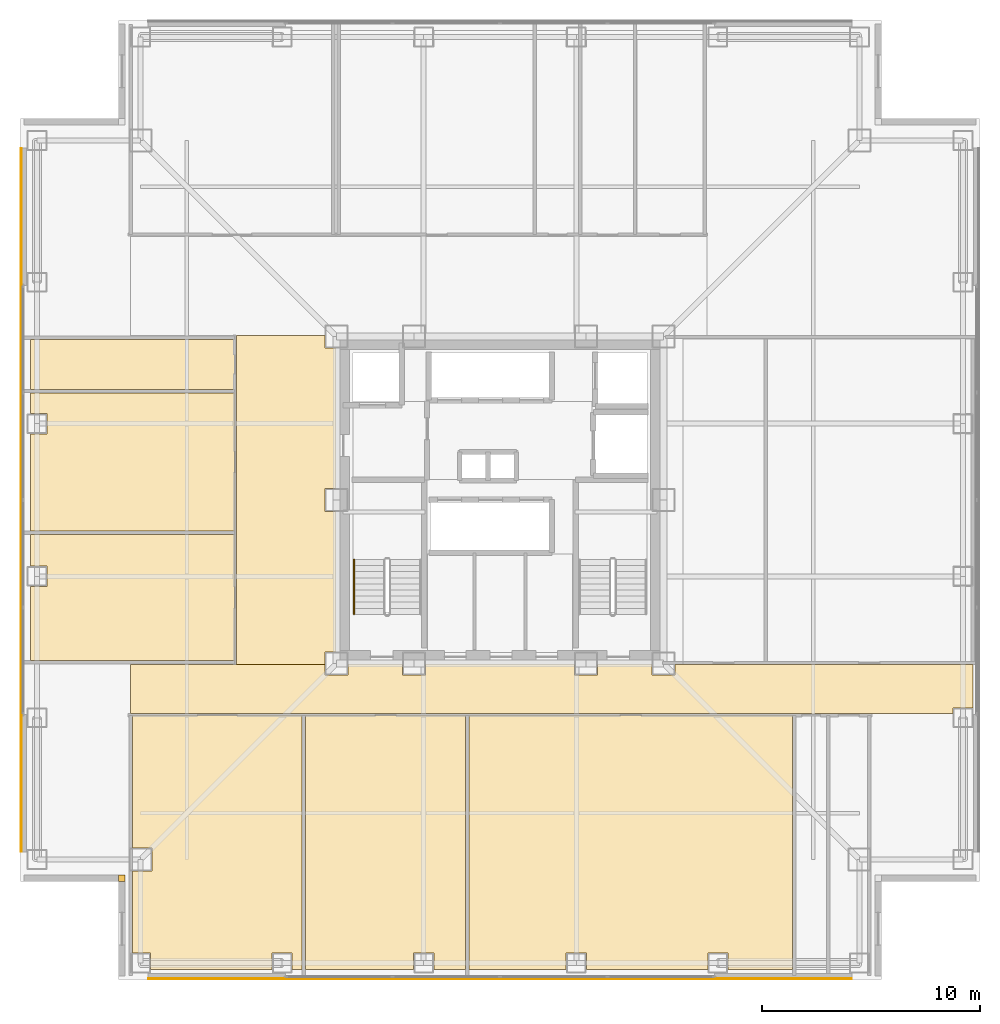
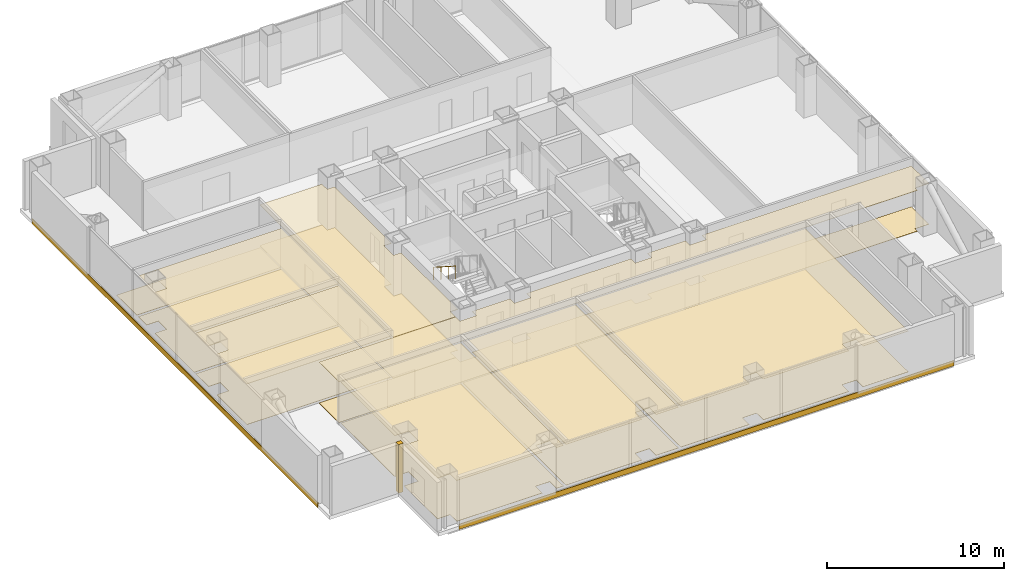
# One storey, part 14 of 16: 18 coverings, 1 railing.
"""IFC4 building model written with IfcOpenShell, lengths in metres."""

import ifcopenshell
import ifcopenshell.guid

model = None  # the IFC model being written
_history = None  # IfcOwnerHistory: only IFC2X3 demands one
_inside = {}  # id of a spatial element -> (the spatial element, [elements in it])
_under = {}  # id of a project, library or spatial element -> (it, [spatial elements below it])
_declared = {}  # id of a project -> (the project, [libraries it declares])
_typed = {}  # id of a type object -> (the type object, [elements of that type])
_made_of = {}  # id of a material, layer set ... -> (it, [elements and type objects made of it])


def new_model(schema):
    """Start an empty IFC model of exactly this schema.

    Asked for "IFC4X3", IfcOpenShell would pick the latest addendum, in which some entities
    have other attributes; the version numbers below select the first issue.
    IFC2X3 requires an IfcOwnerHistory on every rooted entity: one is made here for all.
    """
    global model, _history
    if schema == "IFC4X3":
        model = ifcopenshell.file(schema_version=(4, 3, 0, 0))
    else:
        model = ifcopenshell.file(schema=schema)
    _inside.clear()
    _under.clear()
    _declared.clear()
    _typed.clear()
    _made_of.clear()
    _history = None
    if model.schema == "IFC2X3":
        org = make("IfcOrganization", Name="unknown")
        user = make(
            "IfcPersonAndOrganization",
            ThePerson=make("IfcPerson", FamilyName="unknown"),
            TheOrganization=org,
        )
        app = make(
            "IfcApplication",
            ApplicationDeveloper=org,
            Version="unknown",
            ApplicationFullName="unknown",
            ApplicationIdentifier="unknown",
        )
        _history = make(
            "IfcOwnerHistory",
            OwningUser=user,
            OwningApplication=app,
            ChangeAction="ADDED",
            CreationDate=0,
        )
    return model


def make(cls, **values):
    """One entity of the class cls with the attributes given. An attribute that is None is left unset."""
    return model.create_entity(
        cls, **{name: value for name, value in values.items() if value is not None}
    )


def rooted(cls, **values):
    """An entity with a GlobalId (a new one), such as an element, a storey or a relation."""
    return make(cls, GlobalId=ifcopenshell.guid.new(), OwnerHistory=_history, **values)


def si_unit(unit_type, name, prefix=None):
    """IfcSIUnit, for example si_unit("LENGTHUNIT", "METRE", prefix="MILLI")."""
    return make("IfcSIUnit", UnitType=unit_type, Prefix=prefix, Name=name)


def assignment(units):
    """IfcUnitAssignment: the units of a project."""
    return None if units is None else make("IfcUnitAssignment", Units=units)


def point(xyz):
    """IfcCartesianPoint."""
    return None if xyz is None else make("IfcCartesianPoint", Coordinates=xyz)


def direction(xyz):
    """IfcDirection."""
    return None if xyz is None else make("IfcDirection", DirectionRatios=xyz)


def frame(location, z_axis=None, x_axis=None):
    """IfcAxis2Placement3D, a coordinate frame: its origin and axes. An axis left out is left unset."""
    return make(
        "IfcAxis2Placement3D",
        Location=point(location),
        Axis=direction(z_axis),
        RefDirection=direction(x_axis),
    )


def frame_2d(location, x_axis=None):
    """IfcAxis2Placement2D, a coordinate frame in the plane: its origin and x axis."""
    return make(
        "IfcAxis2Placement2D", Location=point(location), RefDirection=direction(x_axis)
    )


def origin():
    """The frame at (0, 0, 0) with its axes left unset."""
    return frame((0.0, 0.0, 0.0))


def origin_2d():
    """The frame at (0, 0) in the plane with its x axis left unset."""
    return frame_2d((0.0, 0.0))


def place(relative_to, where):
    """IfcLocalPlacement: puts the frame where relative to a parent placement (None: the world)."""
    return make(
        "IfcLocalPlacement", PlacementRelTo=relative_to, RelativePlacement=where
    )


def context(
    kind, dimensions, precision=None, world=None, true_north=None, identifier=None
):
    """IfcGeometricRepresentationContext, for example the 3D "Model" context."""
    return make(
        "IfcGeometricRepresentationContext",
        ContextIdentifier=identifier,
        ContextType=kind,
        CoordinateSpaceDimension=dimensions,
        Precision=precision,
        WorldCoordinateSystem=world,
        TrueNorth=true_north,
    )


def subcontext(parent, identifier, kind, view, scale=None):
    """IfcGeometricRepresentationSubContext, for example "Body" below "Model"."""
    return make(
        "IfcGeometricRepresentationSubContext",
        ContextIdentifier=identifier,
        ContextType=kind,
        ParentContext=parent,
        TargetScale=scale,
        TargetView=view,
    )


def project(units=None, contexts=None):
    """IfcProject with its units and contexts."""
    return rooted(
        "IfcProject",
        Name="project",
        RepresentationContexts=contexts,
        UnitsInContext=assignment(units),
    )


def spatial(cls, under=None, at=None, **own):
    """A site, building, storey or space (cls), placed at a placement, below another one or the project."""
    s = rooted(cls, ObjectPlacement=at, **own)
    if under is not None:
        _under.setdefault(under.id(), (under, []))[1].append(s)
    return s


def polyline(points):
    """IfcPolyline through the points."""
    return make("IfcPolyline", Points=[point(p) for p in points])


def profile(cls, at=None, kind="AREA", **sizes):
    """A parametric profile (cls). Its sizes go by their IFC names, for example OverallWidth=200.0."""
    return make(cls, ProfileType=kind, Position=at, **sizes)


def rectangle(**sizes):
    """IfcRectangleProfileDef."""
    return profile("IfcRectangleProfileDef", **sizes)


def circle(**sizes):
    """IfcCircleProfileDef."""
    return profile("IfcCircleProfileDef", **sizes)


def outline(outer, holes=None, kind="AREA"):
    """IfcArbitraryClosedProfileDef: a profile drawn as a closed curve; with holes, ...WithVoids."""
    if holes is None:
        return make("IfcArbitraryClosedProfileDef", ProfileType=kind, OuterCurve=outer)
    return make(
        "IfcArbitraryProfileDefWithVoids",
        ProfileType=kind,
        OuterCurve=outer,
        InnerCurves=holes,
    )


def extrude(swept, where, along, depth):
    """IfcExtrudedAreaSolid: the profile swept, set in the frame where, extruded along a direction by depth."""
    return make(
        "IfcExtrudedAreaSolid",
        SweptArea=swept,
        Position=where,
        ExtrudedDirection=direction(along),
        Depth=depth,
    )


def shape(context_of_items, identifier, shape_type, items):
    """IfcShapeRepresentation: the items that make up one representation, for example the "Body"."""
    return make(
        "IfcShapeRepresentation",
        ContextOfItems=context_of_items,
        RepresentationIdentifier=identifier,
        RepresentationType=shape_type,
        Items=items,
    )


def material(Name=None, Category=None):
    """IfcMaterial."""
    return make("IfcMaterial", Name=Name, Category=Category)


def layer(
    of_material, thickness, ventilated=None, Name=None, Category=None, Priority=None
):
    """IfcMaterialLayer: one layer of a wall or slab, of a material (None: an air gap)."""
    return make(
        "IfcMaterialLayer",
        Material=of_material,
        LayerThickness=thickness,
        IsVentilated=ventilated,
        Name=Name,
        Category=Category,
        Priority=Priority,
    )


def layer_set(layers, Name=None):
    """IfcMaterialLayerSet."""
    return make("IfcMaterialLayerSet", MaterialLayers=layers, LayerSetName=Name)


def made_of(thing, what):
    """Note that an element or type object is made of a material, layer set ...; save() writes the relation."""
    if what is not None:
        _made_of.setdefault(what.id(), (what, []))[1].append(thing)
    return thing


def type_object(cls, material=None, **own):
    """A type object (cls), such as IfcWallType, which elements share."""
    return made_of(rooted(cls, **own), material)


def element(
    cls,
    number,
    at=None,
    inside=None,
    cuts=None,
    type_object=None,
    material=None,
    context=None,
    identifier="Body",
    shape_type=None,
    held_by="IfcProductDefinitionShape",
    body=None,
    shapes=None,
    **own,
):
    """One element of the class cls, such as IfcWall. Its Tag is "e" and its number.

    at: its placement. inside: the storey or other place that contains it. cuts: it is an
    opening in that element (IfcRelVoidsElement). A single representation is given by context,
    identifier, shape_type and body (its items); several are given by shapes. held_by: the class
    of the entity that holds the representations. save() writes the other relations.
    """
    e = rooted(cls, Tag="e%d" % number, ObjectPlacement=at, **own)
    if body is not None:
        shapes = [shape(context, identifier, shape_type, body)]
    if shapes is not None:
        e.Representation = make(held_by, Representations=shapes)
    if inside is not None:
        _inside.setdefault(inside.id(), (inside, []))[1].append(e)
    if cuts is not None:
        rooted(
            "IfcRelVoidsElement", RelatingBuildingElement=cuts, RelatedOpeningElement=e
        )
    if type_object is not None:
        _typed.setdefault(type_object.id(), (type_object, []))[1].append(e)
    return made_of(e, material)


def aggregate(whole, parts):
    """IfcRelAggregates: a whole, such as a stair, and the parts it consists of."""
    return rooted("IfcRelAggregates", RelatingObject=whole, RelatedObjects=parts)


def save(model, path):
    """Write the relations noted so far, then the file.

    IfcRelAggregates (storeys below a building ...), IfcRelContainedInSpatialStructure (elements
    in a storey), IfcRelDefinesByType, IfcRelAssociatesMaterial and IfcRelDeclares: one each for
    every whole, place, type object, material and project.
    """
    for whole, parts in _under.values():
        aggregate(whole, parts)
    for where, things in _inside.values():
        rooted(
            "IfcRelContainedInSpatialStructure",
            RelatedElements=things,
            RelatingStructure=where,
        )
    for kind, things in _typed.values():
        rooted("IfcRelDefinesByType", RelatedObjects=things, RelatingType=kind)
    for what, things in _made_of.values():
        rooted("IfcRelAssociatesMaterial", RelatedObjects=things, RelatingMaterial=what)
    for by, libraries in _declared.values():
        rooted("IfcRelDeclares", RelatingContext=by, RelatedDefinitions=libraries)
    model.write(path)


model = new_model("IFC4")

# Units and contexts
model_context = context("Model", 3, precision=1e-05, world=origin(), true_north=direction((0.0, 1.0)))
body_context = subcontext(model_context, "Body", "Model", "MODEL_VIEW")
ifc_project = project(units=[si_unit("LENGTHUNIT", "METRE"), si_unit("AREAUNIT", "SQUARE_METRE"), si_unit("VOLUMEUNIT", "CUBIC_METRE"), si_unit("PLANEANGLEUNIT", "RADIAN"), si_unit("MASSUNIT", "GRAM", prefix="KILO")], contexts=[model_context])

# Site, building, storey
site_placement = place(None, origin())
site = spatial("IfcSite", under=ifc_project, at=site_placement, CompositionType="ELEMENT")
building_placement = place(site_placement, origin())
building = spatial("IfcBuilding", under=site, at=building_placement, Name="Trevonay Congress Spire", CompositionType="ELEMENT")
storey_placement = place(building_placement, frame((0.0, 0.0, 101.199951171875)))
storey = spatial("IfcBuildingStorey", under=building, at=storey_placement, Name="L25", CompositionType="ELEMENT", Elevation=101.199951171875)

# Coverings
ifc_material_1 = material(Name="Acoustic Mineral Fibre Board", Category="gypsum")
ifc_layer_1 = layer(ifc_material_1, 0.02490234375, Name="Acoustic Mineral Fibre Board")
ifc_layer_set_1 = layer_set([ifc_layer_1], Name="Acoustic Mineral Fibre Board")
covering_type_1 = type_object("IfcCoveringType", Name="COV-CEIL-ACOUSTIC", PredefinedType="CEILING", material=ifc_layer_set_1)
covering_1_placement = place(storey_placement, frame((0.0, 0.0, 2.81005859375)))
element("IfcCovering", 1, at=covering_1_placement, inside=storey, type_object=covering_type_1, Name="L25 Congress South Spine Corridor acoustic suspended ceiling", PredefinedType="CEILING", context=body_context, shape_type="SweptSolid", body=[
    extrude(outline(polyline([(-16.949951171875, -9.800048828125), (-16.949951171875, -7.550048828125), (-8.034912109375, -7.550048828125), (-8.034912109375, -8.034912109375), (-6.965087890625, -8.034912109375), (-6.965087890625, -7.550048828125), (-4.485107421875, -7.550048828125), (-4.485107421875, -8.034912109375), (-3.4150390625, -8.034912109375), (-3.4150390625, -7.550048828125), (3.4150390625, -7.550048828125), (3.4150390625, -8.034912109375), (4.485107421875, -8.034912109375), (4.485107421875, -7.550048828125), (6.965087890625, -7.550048828125), (6.965087890625, -8.034912109375), (8.034912109375, -8.034912109375), (8.034912109375, -7.550048828125), (21.699951171875, -7.550048828125), (21.699951171875, -9.5400390625), (20.7900390625, -9.5400390625), (20.7900390625, -9.800048828125), (-16.949951171875, -9.800048828125)])), origin(), (0.0, 0.0, 1.0), 0.02490234375),
])
covering_2_placement = place(storey_placement, frame((0.0, 0.0, 2.81005859375)))
element("IfcCovering", 2, at=covering_2_placement, inside=storey, type_object=covering_type_1, Name="L25 West Sky Promenade Salon acoustic suspended ceiling", PredefinedType="CEILING", context=body_context, shape_type="SweptSolid", body=[
    extrude(outline(polyline([(-12.10009765625, 7.550048828125), (-8.034912109375, 7.550048828125), (-8.034912109375, 6.965087890625), (-7.550048828125, 6.965087890625), (-7.550048828125, 0.534912109375), (-8.034912109375, 0.534912109375), (-8.034912109375, -0.534912109375), (-7.550048828125, -0.534912109375), (-7.550048828125, -6.965087890625), (-8.034912109375, -6.965087890625), (-8.034912109375, -7.5400390625), (-12.10009765625, -7.5400390625), (-12.10009765625, 7.550048828125)])), origin(), (0.0, 0.0, 1.0), 0.02490234375),
])
covering_3_placement = place(storey_placement, frame((0.0, 0.0, 2.81005859375)))
element("IfcCovering", 3, at=covering_3_placement, inside=storey, type_object=covering_type_1, Name="L25 Commission Hearing Chamber A acoustic suspended ceiling", PredefinedType="CEILING", context=body_context, shape_type="SweptSolid", body=[
    extrude(outline(polyline([(-16.0400390625, -21.550048828125), (-16.0400390625, -20.7900390625), (-16.8701171875, -20.7900390625), (-16.8701171875, -17.034912109375), (-15.965087890625, -17.034912109375), (-15.965087890625, -15.965087890625), (-16.8701171875, -15.965087890625), (-16.8701171875, -9.8798828125), (-9.080078125, -9.8798828125), (-9.080078125, -21.550048828125), (-9.5400390625, -21.550048828125), (-9.5400390625, -20.7900390625), (-10.4599609375, -20.7900390625), (-10.4599609375, -21.550048828125), (-16.0400390625, -21.550048828125)])), origin(), (0.0, 0.0, 1.0), 0.02490234375),
])
covering_4_placement = place(storey_placement, frame((0.0, 0.0, 2.81005859375)))
element("IfcCovering", 4, at=covering_4_placement, inside=storey, type_object=covering_type_1, Name="L25 Commission Hearing Chamber B acoustic suspended ceiling", PredefinedType="CEILING", context=body_context, shape_type="SweptSolid", body=[
    extrude(outline(polyline([(-8.919921875, -21.550048828125), (-8.919921875, -9.8798828125), (-1.580078125, -9.8798828125), (-1.580078125, -21.550048828125), (-3.0400390625, -21.550048828125), (-3.0400390625, -20.7900390625), (-3.9599609375, -20.7900390625), (-3.9599609375, -21.550048828125), (-8.919921875, -21.550048828125)])), origin(), (0.0, 0.0, 1.0), 0.02490234375),
])
covering_5_placement = place(storey_placement, frame((0.0, 0.0, 2.81005859375)))
element("IfcCovering", 5, at=covering_5_placement, inside=storey, type_object=covering_type_1, Name="L25 Simultaneous Interpretation Hub acoustic suspended ceiling", PredefinedType="CEILING", context=body_context, shape_type="SweptSolid", body=[
    extrude(outline(polyline([(-1.419921875, -21.550048828125), (-1.419921875, -9.8798828125), (13.419921875, -9.8798828125), (13.419921875, -21.550048828125), (10.4599609375, -21.550048828125), (10.4599609375, -20.7900390625), (9.5400390625, -20.7900390625), (9.5400390625, -21.550048828125), (3.9599609375, -21.550048828125), (3.9599609375, -20.7900390625), (3.0400390625, -20.7900390625), (3.0400390625, -21.550048828125), (-1.419921875, -21.550048828125)])), origin(), (0.0, 0.0, 1.0), 0.02490234375),
])
covering_6_placement = place(storey_placement, frame((0.0, 0.0, 2.81005859375)))
element("IfcCovering", 6, at=covering_6_placement, inside=storey, type_object=covering_type_1, Name="L25 Delegation Caucus Room West acoustic suspended ceiling", PredefinedType="CEILING", context=body_context, shape_type="SweptSolid", body=[
    extrude(outline(polyline([(-21.550048828125, -1.580078125), (-12.179931640625, -1.580078125), (-12.179931640625, -7.3701171875), (-21.550048828125, -7.3701171875), (-21.550048828125, -3.9599609375), (-20.7900390625, -3.9599609375), (-20.7900390625, -3.0400390625), (-21.550048828125, -3.0400390625), (-21.550048828125, -1.580078125)])), origin(), (0.0, 0.0, 1.0), 0.02490234375),
])
covering_7_placement = place(storey_placement, frame((0.0, 0.0, 2.81005859375)))
element("IfcCovering", 7, at=covering_7_placement, inside=storey, type_object=covering_type_1, Name="L25 Rapporteur Drafting Office acoustic suspended ceiling", PredefinedType="CEILING", context=body_context, shape_type="SweptSolid", body=[
    extrude(outline(polyline([(-21.550048828125, 4.919921875), (-12.179931640625, 4.919921875), (-12.179931640625, -1.419921875), (-21.550048828125, -1.419921875), (-21.550048828125, 3.0400390625), (-20.7900390625, 3.0400390625), (-20.7900390625, 3.9599609375), (-21.550048828125, 3.9599609375), (-21.550048828125, 4.919921875)])), origin(), (0.0, 0.0, 1.0), 0.02490234375),
])
ifc_material_2 = material(Name="Polished Granite Floor Tile", Category="masonry")
ifc_layer_2 = layer(ifc_material_2, 0.02001953125, Name="Polished Granite Floor Tile")
ifc_layer_set_2 = layer_set([ifc_layer_2], Name="Polished Granite Floor Tile")
covering_type_2 = type_object("IfcCoveringType", Name="COV-FLOOR-STONE", PredefinedType="FLOORING", material=ifc_layer_set_2)
covering_8_placement = place(storey_placement, origin())
element("IfcCovering", 8, at=covering_8_placement, inside=storey, type_object=covering_type_2, Name="L25 Congress South Spine Corridor floor finish", PredefinedType="FLOORING", context=body_context, shape_type="SweptSolid", body=[
    extrude(outline(polyline([(-16.949951171875, -9.800048828125), (-16.949951171875, -7.550048828125), (-8.034912109375, -7.550048828125), (-8.034912109375, -8.034912109375), (-6.965087890625, -8.034912109375), (-6.965087890625, -7.550048828125), (-4.485107421875, -7.550048828125), (-4.485107421875, -8.034912109375), (-3.4150390625, -8.034912109375), (-3.4150390625, -7.550048828125), (3.4150390625, -7.550048828125), (3.4150390625, -8.034912109375), (4.485107421875, -8.034912109375), (4.485107421875, -7.550048828125), (6.965087890625, -7.550048828125), (6.965087890625, -8.034912109375), (8.034912109375, -8.034912109375), (8.034912109375, -7.550048828125), (21.699951171875, -7.550048828125), (21.699951171875, -9.5400390625), (20.7900390625, -9.5400390625), (20.7900390625, -9.800048828125), (-16.949951171875, -9.800048828125)])), origin(), (0.0, 0.0, 1.0), 0.02001953125),
])
covering_9_placement = place(storey_placement, origin())
element("IfcCovering", 9, at=covering_9_placement, inside=storey, type_object=covering_type_2, Name="L25 Male Restroom WC floor finish", PredefinedType="FLOORING", context=body_context, shape_type="SweptSolid", body=[
    extrude(outline(polyline([(-21.550048828125, 5.080078125), (-12.179931640625, 5.080078125), (-12.179931640625, 7.3701171875), (-21.550048828125, 7.3701171875), (-21.550048828125, 5.080078125)])), origin(), (0.0, 0.0, 1.0), 0.02001953125),
])
ifc_material_3 = material(Name="Engineered Oak Flooring", Category="wood")
ifc_layer_3 = layer(ifc_material_3, 0.01806640625, Name="Engineered Oak Flooring")
ifc_layer_set_3 = layer_set([ifc_layer_3], Name="Engineered Oak Flooring")
covering_type_3 = type_object("IfcCoveringType", Name="COV-FLOOR-TIMBER", PredefinedType="FLOORING", material=ifc_layer_set_3)
covering_10_placement = place(storey_placement, origin())
element("IfcCovering", 10, at=covering_10_placement, inside=storey, type_object=covering_type_3, Name="L25 West Sky Promenade Salon floor finish", PredefinedType="FLOORING", context=body_context, shape_type="SweptSolid", body=[
    extrude(outline(polyline([(-12.10009765625, 7.550048828125), (-8.034912109375, 7.550048828125), (-8.034912109375, 6.965087890625), (-7.550048828125, 6.965087890625), (-7.550048828125, 0.534912109375), (-8.034912109375, 0.534912109375), (-8.034912109375, -0.534912109375), (-7.550048828125, -0.534912109375), (-7.550048828125, -6.965087890625), (-8.034912109375, -6.965087890625), (-8.034912109375, -7.5400390625), (-12.10009765625, -7.5400390625), (-12.10009765625, 7.550048828125)])), origin(), (0.0, 0.0, 1.0), 0.01806640625),
])
covering_11_placement = place(storey_placement, origin())
element("IfcCovering", 11, at=covering_11_placement, inside=storey, type_object=covering_type_3, Name="L25 Commission Hearing Chamber A floor finish", PredefinedType="FLOORING", context=body_context, shape_type="SweptSolid", body=[
    extrude(outline(polyline([(-16.0400390625, -21.550048828125), (-16.0400390625, -20.7900390625), (-16.8701171875, -20.7900390625), (-16.8701171875, -17.034912109375), (-15.965087890625, -17.034912109375), (-15.965087890625, -15.965087890625), (-16.8701171875, -15.965087890625), (-16.8701171875, -9.8798828125), (-9.080078125, -9.8798828125), (-9.080078125, -21.550048828125), (-9.5400390625, -21.550048828125), (-9.5400390625, -20.7900390625), (-10.4599609375, -20.7900390625), (-10.4599609375, -21.550048828125), (-16.0400390625, -21.550048828125)])), origin(), (0.0, 0.0, 1.0), 0.01806640625),
])
covering_12_placement = place(storey_placement, origin())
element("IfcCovering", 12, at=covering_12_placement, inside=storey, type_object=covering_type_3, Name="L25 Commission Hearing Chamber B floor finish", PredefinedType="FLOORING", context=body_context, shape_type="SweptSolid", body=[
    extrude(outline(polyline([(-8.919921875, -21.550048828125), (-8.919921875, -9.8798828125), (-1.580078125, -9.8798828125), (-1.580078125, -21.550048828125), (-3.0400390625, -21.550048828125), (-3.0400390625, -20.7900390625), (-3.9599609375, -20.7900390625), (-3.9599609375, -21.550048828125), (-8.919921875, -21.550048828125)])), origin(), (0.0, 0.0, 1.0), 0.01806640625),
])
covering_13_placement = place(storey_placement, origin())
element("IfcCovering", 13, at=covering_13_placement, inside=storey, type_object=covering_type_3, Name="L25 Simultaneous Interpretation Hub floor finish", PredefinedType="FLOORING", context=body_context, shape_type="SweptSolid", body=[
    extrude(outline(polyline([(-1.419921875, -21.550048828125), (-1.419921875, -9.8798828125), (13.419921875, -9.8798828125), (13.419921875, -21.550048828125), (10.4599609375, -21.550048828125), (10.4599609375, -20.7900390625), (9.5400390625, -20.7900390625), (9.5400390625, -21.550048828125), (3.9599609375, -21.550048828125), (3.9599609375, -20.7900390625), (3.0400390625, -20.7900390625), (3.0400390625, -21.550048828125), (-1.419921875, -21.550048828125)])), origin(), (0.0, 0.0, 1.0), 0.01806640625),
])
covering_14_placement = place(storey_placement, origin())
element("IfcCovering", 14, at=covering_14_placement, inside=storey, type_object=covering_type_3, Name="L25 Delegation Caucus Room West floor finish", PredefinedType="FLOORING", context=body_context, shape_type="SweptSolid", body=[
    extrude(outline(polyline([(-21.550048828125, -1.580078125), (-12.179931640625, -1.580078125), (-12.179931640625, -7.3701171875), (-21.550048828125, -7.3701171875), (-21.550048828125, -3.9599609375), (-20.7900390625, -3.9599609375), (-20.7900390625, -3.0400390625), (-21.550048828125, -3.0400390625), (-21.550048828125, -1.580078125)])), origin(), (0.0, 0.0, 1.0), 0.01806640625),
])
covering_15_placement = place(storey_placement, origin())
element("IfcCovering", 15, at=covering_15_placement, inside=storey, type_object=covering_type_3, Name="L25 Rapporteur Drafting Office floor finish", PredefinedType="FLOORING", context=body_context, shape_type="SweptSolid", body=[
    extrude(outline(polyline([(-21.550048828125, 4.919921875), (-12.179931640625, 4.919921875), (-12.179931640625, -1.419921875), (-21.550048828125, -1.419921875), (-21.550048828125, 3.0400390625), (-20.7900390625, 3.0400390625), (-20.7900390625, 3.9599609375), (-21.550048828125, 3.9599609375), (-21.550048828125, 4.919921875)])), origin(), (0.0, 0.0, 1.0), 0.01806640625),
])
ifc_material_4 = material(Name="Pale Anodised Aluminium EN AW-6063-T6", Category="aluminium")
ifc_layer_4 = layer(ifc_material_4, 0.0400390625, Name="Pale Anodised Aluminium EN AW-6063-T6")
ifc_layer_set_4 = layer_set([ifc_layer_4], Name="Pale Anodised Aluminium EN AW-6063-T6")
covering_type_4 = type_object("IfcCoveringType", Name="COV-SPANDREL-PALE-METAL", PredefinedType="CLADDING", material=ifc_layer_set_4)
for number, where, z_axis, x_axis, name in (
    (16, (-16.14990234375, -21.97998046875, -0.239990234375), (0.0, 0.0, 1.0), (1.0, 0.0, 0.0), "L25 S pale-metal slab-edge spandrel cladding"),
    (17, (-21.97998046875, -16.14990234375, -0.239990234375), (0.0, 0.0, 1.0), (0.0, 1.0, 0.0), "L25 W pale-metal slab-edge spandrel cladding"),
):
    element("IfcCovering", number, at=place(storey_placement, frame(where, z_axis=z_axis, x_axis=x_axis)), inside=storey, type_object=covering_type_4, Name=name, PredefinedType="CLADDING", context=body_context, shape_type="SweptSolid", body=[
        extrude(rectangle(XDim=32.2998046875, YDim=0.0400390625, at=frame_2d((16.14990234375, 0.0))), origin(), (0.0, 0.0, 1.0), 0.360107421875),
    ])
covering_16_placement = place(storey_placement, origin())
element("IfcCovering", 18, at=covering_16_placement, inside=storey, type_object=covering_type_4, Name="L25 SW re-entrant notch corner closure trim", PredefinedType="CLADDING", context=body_context, shape_type="SweptSolid", body=[
    extrude(outline(polyline([(-17.5, -17.5), (-17.199951171875, -17.5), (-17.199951171875, -17.199951171875), (-17.5, -17.199951171875), (-17.5, -17.5)])), origin(), (0.0, 0.0, 1.0), 3.360107421875),
])

# Railing
railing_type = type_object("IfcRailingType", Name="RAL-STAIR-HANDRAIL", PredefinedType="HANDRAIL", material=ifc_material_4)
railing_placement = place(storey_placement, frame((-6.699951171875, -2.72998046875, 1.97998046875)))
element("IfcRailing", 19, at=railing_placement, inside=storey, type_object=railing_type, Name="L25 ST-1 stair handrail 2", PredefinedType="HANDRAIL", context=body_context, shape_type="SweptSolid", body=[
    extrude(circle(Radius=0.02392578125, at=origin_2d()), frame((0.0, 0.0, 0.8759765625), z_axis=(0.0, -0.841162588446, 0.540782303519), x_axis=(1.0, 0.0, 0.0)), (0.0, 0.0, 1.0), 2.995849609375),
    extrude(circle(Radius=0.02099609375, at=origin_2d()), origin(), (0.0, 0.0, 1.0), 0.851806640625),
    extrude(circle(Radius=0.02099609375, at=origin_2d()), frame((0.0, -0.840087890625, 0.5400390625)), (0.0, 0.0, 1.0), 0.851806640625),
    extrude(circle(Radius=0.02099609375, at=origin_2d()), frame((0.0, -1.679931640625, 1.080078125)), (0.0, 0.0, 1.0), 0.851806640625),
    extrude(circle(Radius=0.02099609375, at=origin_2d()), frame((0.0, -2.52001953125, 1.6201171875)), (0.0, 0.0, 1.0), 0.851806640625),
])

save(model, "model.ifc")
